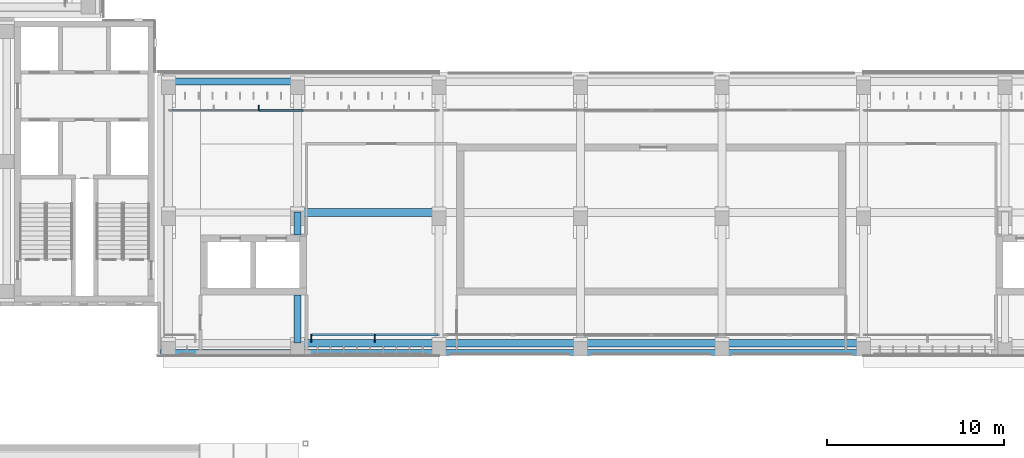
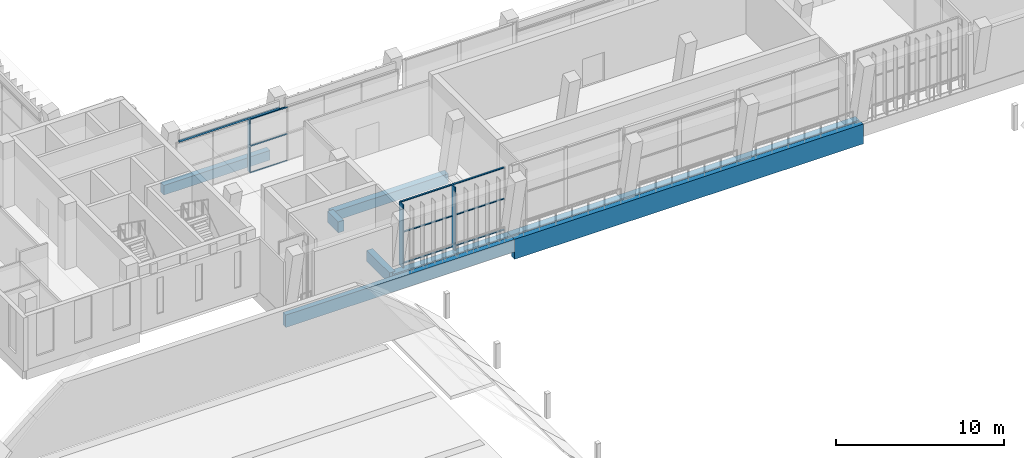
# One storey, part 13 of 89: 12 members, 9 beams, 2 elements without a shape of their own.
"""IFC4 building model written with IfcOpenShell, lengths in metres."""

from ifc_helpers import new_model, si_unit, direction, frame, origin, origin_2d, place, context, subcontext, project, spatial, rectangle, hollow_rectangle, extrude, material, material_profile, profile_set, type_object, element, aggregate, save


model = new_model("IFC4")

# Units and contexts
model_context = context("Model", 3, precision=1e-05, world=origin(), true_north=direction((0.0, 1.0)))
body_context = subcontext(model_context, "Body", "Model", "MODEL_VIEW")
ifc_project = project(units=[si_unit("LENGTHUNIT", "METRE"), si_unit("AREAUNIT", "SQUARE_METRE"), si_unit("VOLUMEUNIT", "CUBIC_METRE"), si_unit("PLANEANGLEUNIT", "RADIAN"), si_unit("MASSUNIT", "GRAM", prefix="KILO")], contexts=[model_context])

# Site, building, storey
site_placement = place(None, origin())
site = spatial("IfcSite", under=ifc_project, at=site_placement, CompositionType="ELEMENT")
building_placement = place(site_placement, origin())
building = spatial("IfcBuilding", under=site, at=building_placement, Name="Lantern Court Media Centre", CompositionType="ELEMENT")
storey_placement = place(building_placement, frame((0.0, 0.0, 14.39990234375)))
storey = spatial("IfcBuildingStorey", under=building, at=storey_placement, Name="L03", CompositionType="ELEMENT", Elevation=14.39990234375)

# Curtain wall, member
ifc_material_1 = material(Name="Curtain wall bay 2400")
curtain_wall_type_1 = type_object("IfcCurtainWallType", Name="Curtain wall bay 2400", PredefinedType="NOTDEFINED", material=ifc_material_1)
curtain_wall_1_placement = place(storey_placement, origin())
curtain_wall_1 = element("IfcCurtainWall", 1, at=curtain_wall_1_placement, inside=storey, type_object=curtain_wall_type_1, Name="Curtain wall S inner L03", PredefinedType="NOTDEFINED")
ifc_material_2 = material(Name="Anodised aluminium", Category="aluminium")
ifc_material_profile_1 = material_profile(ifc_material_2, rectangle(XDim=0.300048828125, YDim=0.050048828125, at=origin_2d()), Name="AL 50x300")
ifc_profile_set_1 = profile_set([ifc_material_profile_1], Name="Anodised aluminium")
member_type_1 = type_object("IfcMemberType", Name="Curtain wall mullion 50x300", PredefinedType="MULLION", material=ifc_profile_set_1)
member_1_placement = place(storey_placement, frame((29.800048828125, 58.969970703125, 0.0), z_axis=(0.0, 0.0, 1.0), x_axis=(0.0, 1.0, 0.0)))
member_1 = element("IfcMember", 2, at=member_1_placement, type_object=member_type_1, Name="CW2 mullion 3", PredefinedType="MULLION", context=body_context, shape_type="SweptSolid", body=[
    extrude(rectangle(XDim=0.300048828125, YDim=0.050048828125, at=origin_2d()), origin(), (0.0, 0.0, 1.0), 3.9501953125),
])

# Curtain wall, members
ifc_material_3 = material(Name="Curtain wall bay 3000")
curtain_wall_type_2 = type_object("IfcCurtainWallType", Name="Curtain wall bay 3000", PredefinedType="NOTDEFINED", material=ifc_material_3)
curtain_wall_2_placement = place(storey_placement, origin())
curtain_wall_2 = element("IfcCurtainWall", 3, at=curtain_wall_2_placement, inside=storey, type_object=curtain_wall_type_2, Name="Curtain wall S outer L03", PredefinedType="NOTDEFINED")
ifc_material_profile_2 = material_profile(ifc_material_2, rectangle(XDim=0.449951171875, YDim=0.06005859375, at=origin_2d()), Name="AL 60x450")
ifc_profile_set_2 = profile_set([ifc_material_profile_2], Name="Anodised aluminium")
member_type_2 = type_object("IfcMemberType", Name="Curtain wall mullion 60x450", PredefinedType="MULLION", material=ifc_profile_set_2)
member_2_placement = place(storey_placement, frame((32.780029296875, 45.955078125, 0.0), z_axis=(0.0, 0.0, 1.0), x_axis=(0.0, 1.0, 0.0)))
member_2 = element("IfcMember", 4, at=member_2_placement, type_object=member_type_2, Name="CW1 mullion 1", PredefinedType="MULLION", context=body_context, shape_type="SweptSolid", body=[
    extrude(rectangle(XDim=0.449951171875, YDim=0.06005859375, at=origin_2d()), origin(), (0.0, 0.0, 1.0), 4.580078125),
])
member_3_placement = place(storey_placement, frame((36.375, 45.955078125, 0.0), z_axis=(0.0, 0.0, 1.0), x_axis=(0.0, 1.0, 0.0)))
member_3 = element("IfcMember", 5, at=member_3_placement, type_object=member_type_2, Name="CW1 mullion 2", PredefinedType="MULLION", context=body_context, shape_type="SweptSolid", body=[
    extrude(rectangle(XDim=0.449951171875, YDim=0.06005859375, at=origin_2d()), origin(), (0.0, 0.0, 1.0), 4.580078125),
])

# Member
ifc_material_profile_3 = material_profile(ifc_material_2, rectangle(XDim=0.10009765625, YDim=0.050048828125, at=origin_2d()), Name="AL 50x100")
ifc_profile_set_3 = profile_set([ifc_material_profile_3], Name="Anodised aluminium")
member_type_3 = type_object("IfcMemberType", Name="Curtain wall transom 100x50", PredefinedType="USERDEFINED", material=ifc_profile_set_3)
member_4_placement = place(storey_placement, frame((29.824951171875, 58.85009765625, 0.025146484375), z_axis=(1.0, 0.0, 0.0), x_axis=(0.0, 1.0, 0.0)))
member_4 = element("IfcMember", 6, at=member_4_placement, type_object=member_type_3, Name="CW2 transom 3.1", ObjectType="TRANSOM", PredefinedType="USERDEFINED", context=body_context, shape_type="SweptSolid", body=[
    extrude(rectangle(XDim=0.10009765625, YDim=0.050048828125, at=origin_2d()), origin(), (0.0, 0.0, 1.0), 2.5),
])

member_5_placement = place(storey_placement, frame((29.824951171875, 58.85009765625, 1.97509765625), z_axis=(1.0, 0.0, 0.0), x_axis=(0.0, 1.0, 0.0)))
member_5 = element("IfcMember", 7, at=member_5_placement, type_object=member_type_3, Name="CW2 transom 3.2", ObjectType="TRANSOM", PredefinedType="USERDEFINED", context=body_context, shape_type="SweptSolid", body=[
    extrude(rectangle(XDim=0.10009765625, YDim=0.050048828125, at=origin_2d()), origin(), (0.0, 0.0, 1.0), 2.5),
])

member_6_placement = place(storey_placement, frame((29.824951171875, 58.85009765625, 3.925048828125), z_axis=(1.0, 0.0, 0.0), x_axis=(0.0, 1.0, 0.0)))
member_6 = element("IfcMember", 8, at=member_6_placement, type_object=member_type_3, Name="CW2 transom 3.3", ObjectType="TRANSOM", PredefinedType="USERDEFINED", context=body_context, shape_type="SweptSolid", body=[
    extrude(rectangle(XDim=0.10009765625, YDim=0.050048828125, at=origin_2d()), origin(), (0.0, 0.0, 1.0), 2.5),
])

aggregate(curtain_wall_1, [member_1, member_4, member_5, member_6])

ifc_material_profile_4 = material_profile(ifc_material_2, rectangle(XDim=0.1201171875, YDim=0.06005859375, at=origin_2d()), Name="AL 60x120")
ifc_profile_set_4 = profile_set([ifc_material_profile_4], Name="Anodised aluminium")
member_type_4 = type_object("IfcMemberType", Name="Curtain wall transom 60x120", PredefinedType="USERDEFINED", material=ifc_profile_set_4)
member_7_placement = place(storey_placement, frame((32.81005859375, 46.14990234375, 0.030029296875), z_axis=(1.0, 0.0, 0.0), x_axis=(0.0, 1.0, 0.0)))
member_7 = element("IfcMember", 9, at=member_7_placement, type_object=member_type_4, Name="CW1 transom 1.1", ObjectType="TRANSOM", PredefinedType="USERDEFINED", context=body_context, shape_type="SweptSolid", body=[
    extrude(rectangle(XDim=0.1201171875, YDim=0.06005859375, at=origin_2d()), origin(), (0.0, 0.0, 1.0), 3.534912109375),
])

member_8_placement = place(storey_placement, frame((32.81005859375, 46.14990234375, 2.2900390625), z_axis=(1.0, 0.0, 0.0), x_axis=(0.0, 1.0, 0.0)))
member_8 = element("IfcMember", 10, at=member_8_placement, type_object=member_type_4, Name="CW1 transom 1.2", ObjectType="TRANSOM", PredefinedType="USERDEFINED", context=body_context, shape_type="SweptSolid", body=[
    extrude(rectangle(XDim=0.1201171875, YDim=0.06005859375, at=origin_2d()), origin(), (0.0, 0.0, 1.0), 3.534912109375),
])

member_9_placement = place(storey_placement, frame((32.81005859375, 46.14990234375, 4.550048828125), z_axis=(1.0, 0.0, 0.0), x_axis=(0.0, 1.0, 0.0)))
member_9 = element("IfcMember", 11, at=member_9_placement, type_object=member_type_4, Name="CW1 transom 1.3", ObjectType="TRANSOM", PredefinedType="USERDEFINED", context=body_context, shape_type="SweptSolid", body=[
    extrude(rectangle(XDim=0.1201171875, YDim=0.06005859375, at=origin_2d()), origin(), (0.0, 0.0, 1.0), 3.534912109375),
])

member_10_placement = place(storey_placement, frame((36.405029296875, 46.14990234375, 0.030029296875), z_axis=(1.0, 0.0, 0.0), x_axis=(0.0, 1.0, 0.0)))
member_10 = element("IfcMember", 12, at=member_10_placement, type_object=member_type_4, Name="CW1 transom 2.1", ObjectType="TRANSOM", PredefinedType="USERDEFINED", context=body_context, shape_type="SweptSolid", body=[
    extrude(rectangle(XDim=0.1201171875, YDim=0.06005859375, at=origin_2d()), origin(), (0.0, 0.0, 1.0), 3.534912109375),
])

member_11_placement = place(storey_placement, frame((36.405029296875, 46.14990234375, 2.2900390625), z_axis=(1.0, 0.0, 0.0), x_axis=(0.0, 1.0, 0.0)))
member_11 = element("IfcMember", 13, at=member_11_placement, type_object=member_type_4, Name="CW1 transom 2.2", ObjectType="TRANSOM", PredefinedType="USERDEFINED", context=body_context, shape_type="SweptSolid", body=[
    extrude(rectangle(XDim=0.1201171875, YDim=0.06005859375, at=origin_2d()), origin(), (0.0, 0.0, 1.0), 3.534912109375),
])

member_12_placement = place(storey_placement, frame((36.405029296875, 46.14990234375, 4.550048828125), z_axis=(1.0, 0.0, 0.0), x_axis=(0.0, 1.0, 0.0)))
member_12 = element("IfcMember", 14, at=member_12_placement, type_object=member_type_4, Name="CW1 transom 2.3", ObjectType="TRANSOM", PredefinedType="USERDEFINED", context=body_context, shape_type="SweptSolid", body=[
    extrude(rectangle(XDim=0.1201171875, YDim=0.06005859375, at=origin_2d()), origin(), (0.0, 0.0, 1.0), 3.534912109375),
])

aggregate(curtain_wall_2, [member_2, member_3, member_7, member_8, member_9, member_10, member_11, member_12])

# Beams
ifc_material_4 = material(Name="Steel S355J2 (EN 10025-2)", Category="steel")
ifc_material_profile_5 = material_profile(ifc_material_4, hollow_rectangle(XDim=0.10009765625, YDim=0.14990234375, WallThickness=0.00634765625, InnerFilletRadius=0.00634765625, OuterFilletRadius=0.009521484375, at=origin_2d()), Name="Facade head lintel RHS 150x100x6.3")
ifc_profile_set_5 = profile_set([ifc_material_profile_5], Name="Steel S355J2 (EN 10025-2)")
beam_type_1 = type_object("IfcBeamType", Name="Facade head lintel RHS 150x100x6.3", PredefinedType="BEAM", material=ifc_profile_set_5)
beam_1_placement = place(storey_placement, frame((24.89990234375, 58.85009765625, 4.025146484375), z_axis=(1.0, 0.0, 0.0), x_axis=(0.0, 1.0, 0.0)))
element("IfcBeam", 15, at=beam_1_placement, inside=storey, type_object=beam_type_1, Name="Facade head lintel S L03", PredefinedType="BEAM", context=body_context, shape_type="SweptSolid", body=[
    extrude(hollow_rectangle(XDim=0.10009765625, YDim=0.14990234375, WallThickness=0.00634765625, InnerFilletRadius=0.00634765625, OuterFilletRadius=0.009521484375, at=origin_2d()), origin(), (0.0, 0.0, 1.0), 6.900146484375),
])
ifc_material_5 = material(Name="Concrete C35", Category="concrete")
ifc_material_profile_6 = material_profile(ifc_material_5, rectangle(XDim=0.35009765625, YDim=1.449951171875, at=origin_2d()), Name="RC 350x1450")
ifc_profile_set_6 = profile_set([ifc_material_profile_6], Name="Concrete C35")
beam_type_2 = type_object("IfcBeamType", Name="RC BEAM 350x1450", PredefinedType="BEAM", material=ifc_profile_set_6)
beam_2_placement = place(storey_placement, frame((40.0, 45.14990234375, -0.724853515625), z_axis=(1.0, 0.0, 0.0), x_axis=(0.0, 1.0, 0.0)))
element("IfcBeam", 16, at=beam_2_placement, inside=storey, type_object=beam_type_2, Name="EB-S-L03-A-1", PredefinedType="BEAM", context=body_context, shape_type="SweptSolid", body=[
    extrude(rectangle(XDim=0.35009765625, YDim=1.449951171875, at=origin_2d()), origin(), (0.0, 0.0, 1.0), 24.0),
])
ifc_material_profile_7 = material_profile(ifc_material_5, rectangle(XDim=0.35009765625, YDim=0.89990234375, at=origin_2d()), Name="RC 350x900")
ifc_profile_set_7 = profile_set([ifc_material_profile_7], Name="Concrete C35")
beam_type_3 = type_object("IfcBeamType", Name="RC BEAM 350x900", PredefinedType="BEAM", material=ifc_profile_set_7)
beam_3_placement = place(storey_placement, frame((24.25, 45.14990234375, -0.449951171875), z_axis=(1.0, 0.0, 0.0), x_axis=(0.0, 1.0, 0.0)))
element("IfcBeam", 17, at=beam_3_placement, inside=storey, type_object=beam_type_3, Name="EB-S-L03-A-0", PredefinedType="BEAM", context=body_context, shape_type="SweptSolid", body=[
    extrude(rectangle(XDim=0.35009765625, YDim=0.89990234375, at=origin_2d()), origin(), (0.0, 0.0, 1.0), 15.75),
])
ifc_material_profile_8 = material_profile(ifc_material_5, rectangle(XDim=0.39990234375, YDim=0.699951171875, at=origin_2d()), Name="RC 400x700")
ifc_profile_set_8 = profile_set([ifc_material_profile_8], Name="Concrete C35")
beam_type_4 = type_object("IfcBeamType", Name="RC BEAM 400x700", PredefinedType="BEAM", material=ifc_profile_set_8)
beam_4_placement = place(storey_placement, frame((24.699951171875, 60.472900390625, -0.349853515625), z_axis=(1.0, 0.0, 0.0), x_axis=(0.0, 1.0, 0.0)))
element("IfcBeam", 18, at=beam_4_placement, inside=storey, type_object=beam_type_4, Name="LB-S-L03-2-0", PredefinedType="BEAM", context=body_context, shape_type="SweptSolid", body=[
    extrude(rectangle(XDim=0.39990234375, YDim=0.699951171875, at=origin_2d()), origin(), (0.0, 0.0, 1.0), 7.300048828125),
])
ifc_material_profile_9 = material_profile(ifc_material_5, rectangle(XDim=0.39990234375, YDim=0.800048828125, at=origin_2d()), Name="RC 400x800")
ifc_profile_set_9 = profile_set([ifc_material_profile_9], Name="Concrete C35")
beam_type_5 = type_object("IfcBeamType", Name="RC BEAM 400x800", PredefinedType="BEAM", material=ifc_profile_set_9)
beam_5_placement = place(storey_placement, frame((32.0, 45.683349609375, -0.39990234375), z_axis=(0.0, 1.0, 0.0), x_axis=(-1.0, 0.0, 0.0)))
element("IfcBeam", 19, at=beam_5_placement, inside=storey, type_object=beam_type_5, Name="TB-S-L03-1-1", PredefinedType="BEAM", context=body_context, shape_type="SweptSolid", body=[
    extrude(rectangle(XDim=0.39990234375, YDim=0.800048828125, at=origin_2d()), origin(), (0.0, 0.0, 1.0), 2.716552734375),
])
beam_6_placement = place(storey_placement, frame((32.0, 51.800048828125, -0.39990234375), z_axis=(0.0, 1.0, 0.0), x_axis=(-1.0, 0.0, 0.0)))
element("IfcBeam", 20, at=beam_6_placement, inside=storey, type_object=beam_type_5, Name="TB-S-L03-1-11", PredefinedType="BEAM", context=body_context, shape_type="SweptSolid", body=[
    extrude(rectangle(XDim=0.39990234375, YDim=0.800048828125, at=origin_2d()), origin(), (0.0, 0.0, 1.0), 1.283203125),
])
ifc_material_profile_10 = material_profile(ifc_material_5, rectangle(XDim=0.449951171875, YDim=0.699951171875, at=origin_2d()), Name="RC 450x700")
ifc_profile_set_10 = profile_set([ifc_material_profile_10], Name="Concrete C35")
beam_type_6 = type_object("IfcBeamType", Name="RC BEAM 450x700", PredefinedType="BEAM", material=ifc_profile_set_10)
beam_7_placement = place(storey_placement, frame((32.0, 45.6728515625, -0.349853515625), z_axis=(1.0, 0.0, 0.0), x_axis=(0.0, 1.0, 0.0)))
element("IfcBeam", 21, at=beam_7_placement, inside=storey, type_object=beam_type_6, Name="LB-S-L03-0-1", PredefinedType="BEAM", context=body_context, shape_type="SweptSolid", body=[
    extrude(rectangle(XDim=0.449951171875, YDim=0.699951171875, at=origin_2d()), origin(), (0.0, 0.0, 1.0), 8.0),
])
beam_8_placement = place(storey_placement, frame((40.0, 45.6728515625, -0.349853515625), z_axis=(1.0, 0.0, 0.0), x_axis=(0.0, 1.0, 0.0)))
element("IfcBeam", 22, at=beam_8_placement, inside=storey, type_object=beam_type_6, Name="LB-S-L03-0-2", PredefinedType="BEAM", context=body_context, shape_type="SweptSolid", body=[
    extrude(rectangle(XDim=0.449951171875, YDim=0.699951171875, at=origin_2d()), origin(), (0.0, 0.0, 1.0), 24.0),
])
beam_9_placement = place(storey_placement, frame((32.0, 53.072998046875, -0.349853515625), z_axis=(1.0, 0.0, 0.0), x_axis=(0.0, 1.0, 0.0)))
element("IfcBeam", 23, at=beam_9_placement, inside=storey, type_object=beam_type_6, Name="LB-S-L03-1-1", PredefinedType="BEAM", context=body_context, shape_type="SweptSolid", body=[
    extrude(rectangle(XDim=0.449951171875, YDim=0.699951171875, at=origin_2d()), origin(), (0.0, 0.0, 1.0), 8.0),
])

save(model, "model.ifc")
